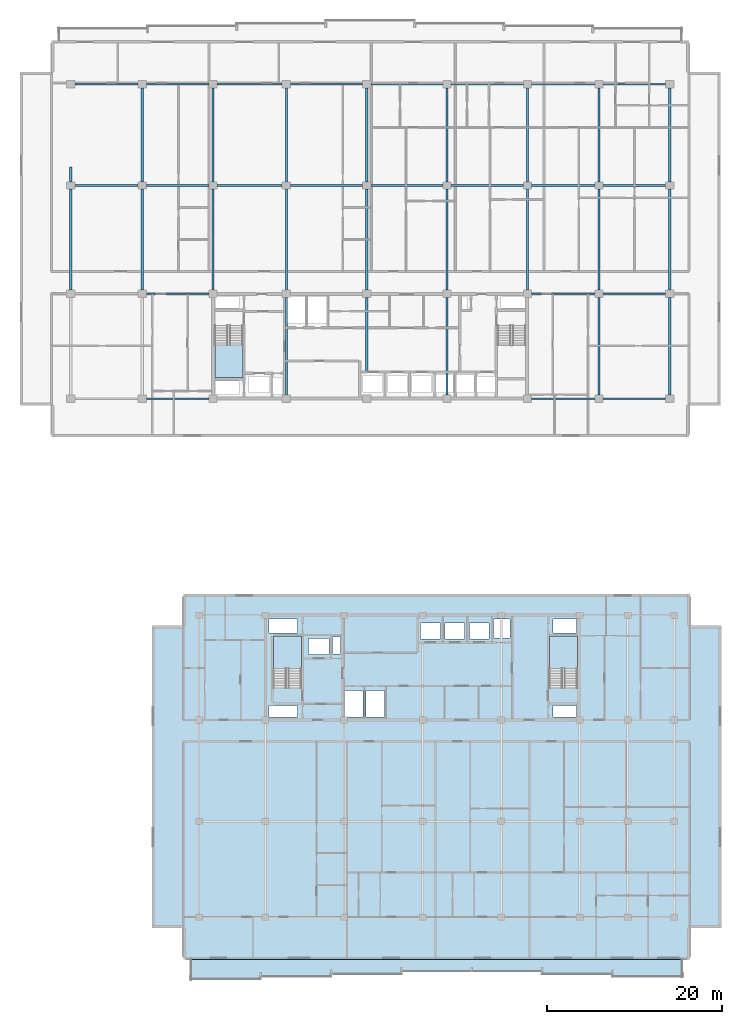
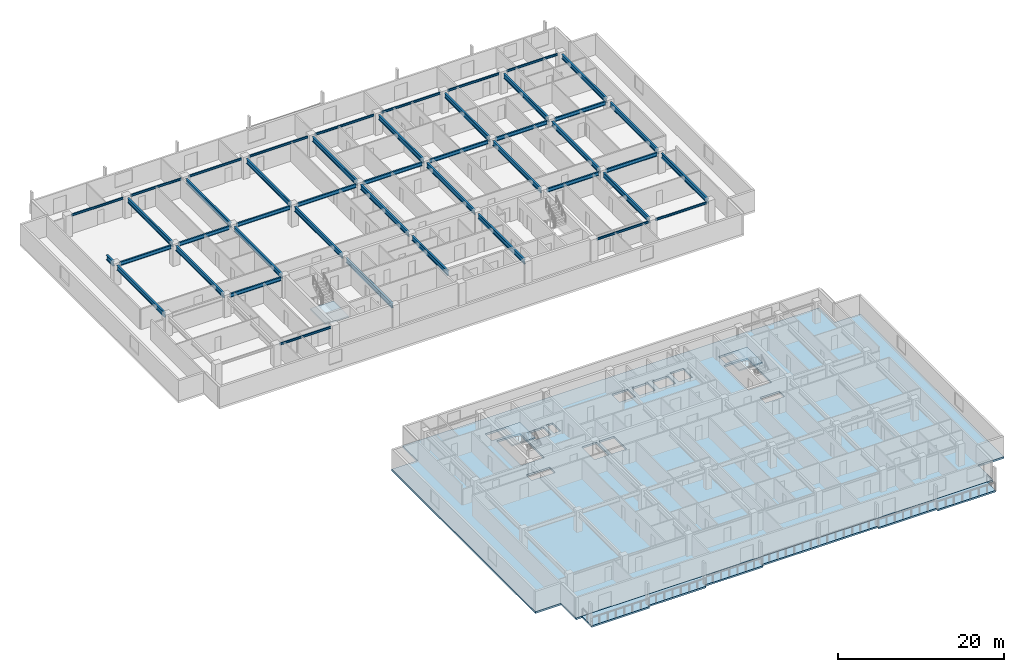
# One storey, part 2 of 21: 45 beams, 5 slabs, 3 elements without a shape of their own.
"""IFC4 building model written with IfcOpenShell, lengths in metres."""

from ifc_helpers import new_model, si_unit, direction, frame, origin, origin_2d, place, context, subcontext, project, spatial, polyline, i_section, outline, extrude, material, layer, layer_set, material_profile, profile_set, type_object, element, aggregate, save


model = new_model("IFC4")

# Units and contexts
model_context = context("Model", 3, precision=1e-05, world=origin(), true_north=direction((0.0, 1.0)))
body_context = subcontext(model_context, "Body", "Model", "MODEL_VIEW")
ifc_project = project(units=[si_unit("LENGTHUNIT", "METRE"), si_unit("AREAUNIT", "SQUARE_METRE"), si_unit("VOLUMEUNIT", "CUBIC_METRE"), si_unit("PLANEANGLEUNIT", "RADIAN"), si_unit("MASSUNIT", "GRAM", prefix="KILO")], contexts=[model_context])

# Site, building, storey
site_placement = place(None, origin())
site = spatial("IfcSite", under=ifc_project, at=site_placement, CompositionType="ELEMENT")
building_placement = place(site_placement, origin())
building = spatial("IfcBuilding", under=site, at=building_placement, Name="Korimba Cascade Residences", CompositionType="ELEMENT")
storey_placement = place(building_placement, frame((0.0, 0.0, 103.550048828125)))
storey = spatial("IfcBuildingStorey", under=building, at=storey_placement, Name="L29", CompositionType="ELEMENT", Elevation=103.550048828125)

# Beams
ifc_material_1 = material(Name="Steel S355", Category="steel")
ifc_material_profile_1 = material_profile(ifc_material_1, i_section(OverallWidth=0.165771484375, OverallDepth=0.306640625, WebThickness=0.006591796875, FlangeThickness=0.01171875, FilletRadius=0.0087890625, at=origin_2d()), Name="Steel S355")
ifc_profile_set_1 = profile_set([ifc_material_profile_1], Name="Steel S355")
beam_type_1 = type_object("IfcBeamType", Name="BM-STL-UB305", PredefinedType="SPANDREL", material=ifc_profile_set_1)
beam_1_placement = place(storey_placement, frame((68.47509765625, 55.199951171875, 2.816650390625), z_axis=(1.0, 0.0, 0.0), x_axis=(0.0, 1.0, 0.0)))
element("IfcBeam", 1, at=beam_1_placement, inside=storey, type_object=beam_type_1, Name="L29 T1 E-W Girder Y1 Bay 2", PredefinedType="SPANDREL", context=body_context, shape_type="SweptSolid", body=[
    extrude(i_section(OverallWidth=0.165771484375, OverallDepth=0.306640625, WebThickness=0.006591796875, FlangeThickness=0.01171875, FilletRadius=0.0087890625, at=origin_2d()), origin(), (0.0, 0.0, 1.0), 7.14990234375),
])
beam_2_placement = place(storey_placement, frame((112.574951171875, 55.199951171875, 2.816650390625), z_axis=(1.0, 0.0, 0.0), x_axis=(0.0, 1.0, 0.0)))
element("IfcBeam", 2, at=beam_2_placement, inside=storey, type_object=beam_type_1, Name="L29 T1 E-W Girder Y1 Bay 7", PredefinedType="SPANDREL", context=body_context, shape_type="SweptSolid", body=[
    extrude(i_section(OverallWidth=0.165771484375, OverallDepth=0.306640625, WebThickness=0.006591796875, FlangeThickness=0.01171875, FilletRadius=0.0087890625, at=origin_2d()), origin(), (0.0, 0.0, 1.0), 7.25),
])
beam_3_placement = place(storey_placement, frame((120.77490234375, 55.199951171875, 2.816650390625), z_axis=(1.0, 0.0, 0.0), x_axis=(0.0, 1.0, 0.0)))
element("IfcBeam", 3, at=beam_3_placement, inside=storey, type_object=beam_type_1, Name="L29 T1 E-W Girder Y1 Bay 8", PredefinedType="SPANDREL", context=body_context, shape_type="SweptSolid", body=[
    extrude(i_section(OverallWidth=0.165771484375, OverallDepth=0.306640625, WebThickness=0.006591796875, FlangeThickness=0.01171875, FilletRadius=0.0087890625, at=origin_2d()), origin(), (0.0, 0.0, 1.0), 7.150146484375),
])
beam_4_placement = place(storey_placement, frame((60.27490234375, 91.199951171875, 2.816650390625), z_axis=(1.0, 0.0, 0.0), x_axis=(0.0, 1.0, 0.0)))
element("IfcBeam", 4, at=beam_4_placement, inside=storey, type_object=beam_type_1, Name="L29 T1 E-W Girder Y4 Bay 1", PredefinedType="SPANDREL", context=body_context, shape_type="SweptSolid", body=[
    extrude(i_section(OverallWidth=0.165771484375, OverallDepth=0.306640625, WebThickness=0.006591796875, FlangeThickness=0.01171875, FilletRadius=0.0087890625, at=origin_2d()), origin(), (0.0, 0.0, 1.0), 7.25),
])
beam_5_placement = place(storey_placement, frame((68.47509765625, 91.199951171875, 2.816650390625), z_axis=(1.0, 0.0, 0.0), x_axis=(0.0, 1.0, 0.0)))
element("IfcBeam", 5, at=beam_5_placement, inside=storey, type_object=beam_type_1, Name="L29 T1 E-W Girder Y4 Bay 2", PredefinedType="SPANDREL", context=body_context, shape_type="SweptSolid", body=[
    extrude(i_section(OverallWidth=0.165771484375, OverallDepth=0.306640625, WebThickness=0.006591796875, FlangeThickness=0.01171875, FilletRadius=0.0087890625, at=origin_2d()), origin(), (0.0, 0.0, 1.0), 7.14990234375),
])
beam_6_placement = place(storey_placement, frame((76.574951171875, 91.199951171875, 2.816650390625), z_axis=(1.0, 0.0, 0.0), x_axis=(0.0, 1.0, 0.0)))
element("IfcBeam", 6, at=beam_6_placement, inside=storey, type_object=beam_type_1, Name="L29 T1 E-W Girder Y4 Bay 3", PredefinedType="SPANDREL", context=body_context, shape_type="SweptSolid", body=[
    extrude(i_section(OverallWidth=0.165771484375, OverallDepth=0.306640625, WebThickness=0.006591796875, FlangeThickness=0.01171875, FilletRadius=0.0087890625, at=origin_2d()), origin(), (0.0, 0.0, 1.0), 7.449951171875),
])
for number, where, z_axis, x_axis, name in (
    (7, (84.97509765625, 91.199951171875, 2.816650390625), (1.0, 0.0, 0.0), (0.0, 1.0, 0.0), "L29 T1 E-W Girder Y4 Bay 4"),
    (8, (94.175048828125, 91.199951171875, 2.816650390625), (1.0, 0.0, 0.0), (0.0, 1.0, 0.0), "L29 T1 E-W Girder Y4 Bay 5"),
    (9, (103.375, 91.199951171875, 2.816650390625), (1.0, 0.0, 0.0), (0.0, 1.0, 0.0), "L29 T1 E-W Girder Y4 Bay 6"),
):
    element("IfcBeam", number, at=place(storey_placement, frame(where, z_axis=z_axis, x_axis=x_axis)), inside=storey, type_object=beam_type_1, Name=name, PredefinedType="SPANDREL", context=body_context, shape_type="SweptSolid", body=[
        extrude(i_section(OverallWidth=0.165771484375, OverallDepth=0.306640625, WebThickness=0.006591796875, FlangeThickness=0.01171875, FilletRadius=0.0087890625, at=origin_2d()), origin(), (0.0, 0.0, 1.0), 8.25),
    ])
beam_7_placement = place(storey_placement, frame((112.574951171875, 91.199951171875, 2.816650390625), z_axis=(1.0, 0.0, 0.0), x_axis=(0.0, 1.0, 0.0)))
element("IfcBeam", 10, at=beam_7_placement, inside=storey, type_object=beam_type_1, Name="L29 T1 E-W Girder Y4 Bay 7", PredefinedType="SPANDREL", context=body_context, shape_type="SweptSolid", body=[
    extrude(i_section(OverallWidth=0.165771484375, OverallDepth=0.306640625, WebThickness=0.006591796875, FlangeThickness=0.01171875, FilletRadius=0.0087890625, at=origin_2d()), origin(), (0.0, 0.0, 1.0), 7.25),
])
beam_8_placement = place(storey_placement, frame((120.77490234375, 91.199951171875, 2.816650390625), z_axis=(1.0, 0.0, 0.0), x_axis=(0.0, 1.0, 0.0)))
element("IfcBeam", 11, at=beam_8_placement, inside=storey, type_object=beam_type_1, Name="L29 T1 E-W Girder Y4 Bay 8", PredefinedType="SPANDREL", context=body_context, shape_type="SweptSolid", body=[
    extrude(i_section(OverallWidth=0.165771484375, OverallDepth=0.306640625, WebThickness=0.006591796875, FlangeThickness=0.01171875, FilletRadius=0.0087890625, at=origin_2d()), origin(), (0.0, 0.0, 1.0), 7.150146484375),
])
ifc_material_profile_2 = material_profile(ifc_material_1, i_section(OverallWidth=0.2099609375, OverallDepth=0.53662109375, WebThickness=0.0107421875, FlangeThickness=0.017333984375, FilletRadius=0.0126953125, at=origin_2d()), Name="Steel S355")
ifc_profile_set_2 = profile_set([ifc_material_profile_2], Name="Steel S355")
beam_type_2 = type_object("IfcBeamType", Name="BM-STL-UB533", PredefinedType="BEAM", material=ifc_profile_set_2)
beam_9_placement = place(storey_placement, frame((68.47509765625, 67.199951171875, 2.70166015625), z_axis=(1.0, 0.0, 0.0), x_axis=(0.0, 1.0, 0.0)))
element("IfcBeam", 12, at=beam_9_placement, inside=storey, type_object=beam_type_2, Name="L29 T1 E-W Girder Y2 Bay 2", PredefinedType="BEAM", context=body_context, shape_type="SweptSolid", body=[
    extrude(i_section(OverallWidth=0.2099609375, OverallDepth=0.53662109375, WebThickness=0.0107421875, FlangeThickness=0.017333984375, FilletRadius=0.0126953125, at=origin_2d()), origin(), (0.0, 0.0, 1.0), 7.14990234375),
])
beam_10_placement = place(storey_placement, frame((112.574951171875, 67.199951171875, 2.70166015625), z_axis=(1.0, 0.0, 0.0), x_axis=(0.0, 1.0, 0.0)))
element("IfcBeam", 13, at=beam_10_placement, inside=storey, type_object=beam_type_2, Name="L29 T1 E-W Girder Y2 Bay 7", PredefinedType="BEAM", context=body_context, shape_type="SweptSolid", body=[
    extrude(i_section(OverallWidth=0.2099609375, OverallDepth=0.53662109375, WebThickness=0.0107421875, FlangeThickness=0.017333984375, FilletRadius=0.0126953125, at=origin_2d()), origin(), (0.0, 0.0, 1.0), 7.25),
])
beam_11_placement = place(storey_placement, frame((120.77490234375, 67.199951171875, 2.70166015625), z_axis=(1.0, 0.0, 0.0), x_axis=(0.0, 1.0, 0.0)))
element("IfcBeam", 14, at=beam_11_placement, inside=storey, type_object=beam_type_2, Name="L29 T1 E-W Girder Y2 Bay 8", PredefinedType="BEAM", context=body_context, shape_type="SweptSolid", body=[
    extrude(i_section(OverallWidth=0.2099609375, OverallDepth=0.53662109375, WebThickness=0.0107421875, FlangeThickness=0.017333984375, FilletRadius=0.0126953125, at=origin_2d()), origin(), (0.0, 0.0, 1.0), 7.150146484375),
])
beam_12_placement = place(storey_placement, frame((60.27490234375, 79.60009765625, 2.70166015625), z_axis=(1.0, 0.0, 0.0), x_axis=(0.0, 1.0, 0.0)))
element("IfcBeam", 15, at=beam_12_placement, inside=storey, type_object=beam_type_2, Name="L29 T1 E-W Girder Y3 Bay 1", PredefinedType="BEAM", context=body_context, shape_type="SweptSolid", body=[
    extrude(i_section(OverallWidth=0.2099609375, OverallDepth=0.53662109375, WebThickness=0.0107421875, FlangeThickness=0.017333984375, FilletRadius=0.0126953125, at=origin_2d()), origin(), (0.0, 0.0, 1.0), 7.25),
])
beam_13_placement = place(storey_placement, frame((68.47509765625, 79.60009765625, 2.70166015625), z_axis=(1.0, 0.0, 0.0), x_axis=(0.0, 1.0, 0.0)))
element("IfcBeam", 16, at=beam_13_placement, inside=storey, type_object=beam_type_2, Name="L29 T1 E-W Girder Y3 Bay 2", PredefinedType="BEAM", context=body_context, shape_type="SweptSolid", body=[
    extrude(i_section(OverallWidth=0.2099609375, OverallDepth=0.53662109375, WebThickness=0.0107421875, FlangeThickness=0.017333984375, FilletRadius=0.0126953125, at=origin_2d()), origin(), (0.0, 0.0, 1.0), 7.14990234375),
])
beam_14_placement = place(storey_placement, frame((76.574951171875, 79.60009765625, 2.70166015625), z_axis=(1.0, 0.0, 0.0), x_axis=(0.0, 1.0, 0.0)))
element("IfcBeam", 17, at=beam_14_placement, inside=storey, type_object=beam_type_2, Name="L29 T1 E-W Girder Y3 Bay 3", PredefinedType="BEAM", context=body_context, shape_type="SweptSolid", body=[
    extrude(i_section(OverallWidth=0.2099609375, OverallDepth=0.53662109375, WebThickness=0.0107421875, FlangeThickness=0.017333984375, FilletRadius=0.0126953125, at=origin_2d()), origin(), (0.0, 0.0, 1.0), 7.449951171875),
])
for number, where, z_axis, x_axis, name in (
    (18, (84.97509765625, 79.60009765625, 2.70166015625), (1.0, 0.0, 0.0), (0.0, 1.0, 0.0), "L29 T1 E-W Girder Y3 Bay 4"),
    (19, (94.175048828125, 79.60009765625, 2.70166015625), (1.0, 0.0, 0.0), (0.0, 1.0, 0.0), "L29 T1 E-W Girder Y3 Bay 5"),
    (20, (103.375, 79.60009765625, 2.70166015625), (1.0, 0.0, 0.0), (0.0, 1.0, 0.0), "L29 T1 E-W Girder Y3 Bay 6"),
):
    element("IfcBeam", number, at=place(storey_placement, frame(where, z_axis=z_axis, x_axis=x_axis)), inside=storey, type_object=beam_type_2, Name=name, PredefinedType="BEAM", context=body_context, shape_type="SweptSolid", body=[
        extrude(i_section(OverallWidth=0.2099609375, OverallDepth=0.53662109375, WebThickness=0.0107421875, FlangeThickness=0.017333984375, FilletRadius=0.0126953125, at=origin_2d()), origin(), (0.0, 0.0, 1.0), 8.25),
    ])
beam_15_placement = place(storey_placement, frame((112.574951171875, 79.60009765625, 2.70166015625), z_axis=(1.0, 0.0, 0.0), x_axis=(0.0, 1.0, 0.0)))
element("IfcBeam", 21, at=beam_15_placement, inside=storey, type_object=beam_type_2, Name="L29 T1 E-W Girder Y3 Bay 7", PredefinedType="BEAM", context=body_context, shape_type="SweptSolid", body=[
    extrude(i_section(OverallWidth=0.2099609375, OverallDepth=0.53662109375, WebThickness=0.0107421875, FlangeThickness=0.017333984375, FilletRadius=0.0126953125, at=origin_2d()), origin(), (0.0, 0.0, 1.0), 7.25),
])
beam_16_placement = place(storey_placement, frame((120.77490234375, 79.60009765625, 2.70166015625), z_axis=(1.0, 0.0, 0.0), x_axis=(0.0, 1.0, 0.0)))
element("IfcBeam", 22, at=beam_16_placement, inside=storey, type_object=beam_type_2, Name="L29 T1 E-W Girder Y3 Bay 8", PredefinedType="BEAM", context=body_context, shape_type="SweptSolid", body=[
    extrude(i_section(OverallWidth=0.2099609375, OverallDepth=0.53662109375, WebThickness=0.0107421875, FlangeThickness=0.017333984375, FilletRadius=0.0126953125, at=origin_2d()), origin(), (0.0, 0.0, 1.0), 7.150146484375),
])
ifc_material_profile_3 = material_profile(ifc_material_1, i_section(OverallWidth=0.255859375, OverallDepth=0.69287109375, WebThickness=0.014404296875, FlangeThickness=0.023681640625, FilletRadius=0.01513671875, at=origin_2d()), Name="Steel S355")
ifc_profile_set_3 = profile_set([ifc_material_profile_3], Name="Steel S355")
beam_type_3 = type_object("IfcBeamType", Name="BM-STL-UB686", PredefinedType="BEAM", material=ifc_profile_set_3)
beam_17_placement = place(storey_placement, frame((59.800048828125, 67.625, 2.62353515625), z_axis=(0.0, 1.0, 0.0), x_axis=(-1.0, 0.0, 0.0)))
element("IfcBeam", 23, at=beam_17_placement, inside=storey, type_object=beam_type_3, Name="L29 T1 N-S Girder X1 Seg 2", PredefinedType="BEAM", context=body_context, shape_type="SweptSolid", body=[
    extrude(i_section(OverallWidth=0.255859375, OverallDepth=0.69287109375, WebThickness=0.014404296875, FlangeThickness=0.023681640625, FilletRadius=0.01513671875, at=origin_2d()), origin(), (0.0, 0.0, 1.0), 11.550048828125),
])
beam_18_placement = place(storey_placement, frame((59.800048828125, 80.02490234375, 2.62353515625), z_axis=(0.0, 1.0, 0.0), x_axis=(-1.0, 0.0, 0.0)))
element("IfcBeam", 24, at=beam_18_placement, inside=storey, type_object=beam_type_3, Name="L29 T1 N-S Girder X1 Seg 3", PredefinedType="BEAM", context=body_context, shape_type="SweptSolid", body=[
    extrude(i_section(OverallWidth=0.255859375, OverallDepth=0.69287109375, WebThickness=0.014404296875, FlangeThickness=0.023681640625, FilletRadius=0.01513671875, at=origin_2d()), origin(), (0.0, 0.0, 1.0), 1.675048828125),
])
beam_19_placement = place(storey_placement, frame((68.0, 67.625, 2.62353515625), z_axis=(0.0, 1.0, 0.0), x_axis=(-1.0, 0.0, 0.0)))
element("IfcBeam", 25, at=beam_19_placement, inside=storey, type_object=beam_type_3, Name="L29 T1 N-S Girder X2 Seg 2", PredefinedType="BEAM", context=body_context, shape_type="SweptSolid", body=[
    extrude(i_section(OverallWidth=0.255859375, OverallDepth=0.69287109375, WebThickness=0.014404296875, FlangeThickness=0.023681640625, FilletRadius=0.01513671875, at=origin_2d()), origin(), (0.0, 0.0, 1.0), 11.550048828125),
])
beam_20_placement = place(storey_placement, frame((68.0, 80.02490234375, 2.62353515625), z_axis=(0.0, 1.0, 0.0), x_axis=(-1.0, 0.0, 0.0)))
element("IfcBeam", 26, at=beam_20_placement, inside=storey, type_object=beam_type_3, Name="L29 T1 N-S Girder X2 Seg 3", PredefinedType="BEAM", context=body_context, shape_type="SweptSolid", body=[
    extrude(i_section(OverallWidth=0.255859375, OverallDepth=0.69287109375, WebThickness=0.014404296875, FlangeThickness=0.023681640625, FilletRadius=0.01513671875, at=origin_2d()), origin(), (0.0, 0.0, 1.0), 10.75),
])
beam_21_placement = place(storey_placement, frame((76.10009765625, 67.625, 2.62353515625), z_axis=(0.0, 1.0, 0.0), x_axis=(-1.0, 0.0, 0.0)))
element("IfcBeam", 27, at=beam_21_placement, inside=storey, type_object=beam_type_3, Name="L29 T1 N-S Girder X3 Seg 2", PredefinedType="BEAM", context=body_context, shape_type="SweptSolid", body=[
    extrude(i_section(OverallWidth=0.255859375, OverallDepth=0.69287109375, WebThickness=0.014404296875, FlangeThickness=0.023681640625, FilletRadius=0.01513671875, at=origin_2d()), origin(), (0.0, 0.0, 1.0), 11.550048828125),
])
beam_22_placement = place(storey_placement, frame((76.10009765625, 80.02490234375, 2.62353515625), z_axis=(0.0, 1.0, 0.0), x_axis=(-1.0, 0.0, 0.0)))
element("IfcBeam", 28, at=beam_22_placement, inside=storey, type_object=beam_type_3, Name="L29 T1 N-S Girder X3 Seg 3", PredefinedType="BEAM", context=body_context, shape_type="SweptSolid", body=[
    extrude(i_section(OverallWidth=0.255859375, OverallDepth=0.69287109375, WebThickness=0.014404296875, FlangeThickness=0.023681640625, FilletRadius=0.01513671875, at=origin_2d()), origin(), (0.0, 0.0, 1.0), 10.75),
])
beam_23_placement = place(storey_placement, frame((84.5, 55.625, 2.62353515625), z_axis=(0.0, 1.0, 0.0), x_axis=(-1.0, 0.0, 0.0)))
element("IfcBeam", 29, at=beam_23_placement, inside=storey, type_object=beam_type_3, Name="L29 T1 N-S Girder X4 Seg 1", PredefinedType="BEAM", context=body_context, shape_type="SweptSolid", body=[
    extrude(i_section(OverallWidth=0.255859375, OverallDepth=0.69287109375, WebThickness=0.014404296875, FlangeThickness=0.023681640625, FilletRadius=0.01513671875, at=origin_2d()), origin(), (0.0, 0.0, 1.0), 11.14990234375),
])
beam_24_placement = place(storey_placement, frame((84.5, 67.625, 2.62353515625), z_axis=(0.0, 1.0, 0.0), x_axis=(-1.0, 0.0, 0.0)))
element("IfcBeam", 30, at=beam_24_placement, inside=storey, type_object=beam_type_3, Name="L29 T1 N-S Girder X4 Seg 2", PredefinedType="BEAM", context=body_context, shape_type="SweptSolid", body=[
    extrude(i_section(OverallWidth=0.255859375, OverallDepth=0.69287109375, WebThickness=0.014404296875, FlangeThickness=0.023681640625, FilletRadius=0.01513671875, at=origin_2d()), origin(), (0.0, 0.0, 1.0), 11.550048828125),
])
beam_25_placement = place(storey_placement, frame((84.5, 80.02490234375, 2.62353515625), z_axis=(0.0, 1.0, 0.0), x_axis=(-1.0, 0.0, 0.0)))
element("IfcBeam", 31, at=beam_25_placement, inside=storey, type_object=beam_type_3, Name="L29 T1 N-S Girder X4 Seg 3", PredefinedType="BEAM", context=body_context, shape_type="SweptSolid", body=[
    extrude(i_section(OverallWidth=0.255859375, OverallDepth=0.69287109375, WebThickness=0.014404296875, FlangeThickness=0.023681640625, FilletRadius=0.01513671875, at=origin_2d()), origin(), (0.0, 0.0, 1.0), 10.75),
])
beam_26_placement = place(storey_placement, frame((93.699951171875, 58.159912109375, 2.62353515625), z_axis=(0.0, 1.0, 0.0), x_axis=(-1.0, 0.0, 0.0)))
element("IfcBeam", 32, at=beam_26_placement, inside=storey, type_object=beam_type_3, Name="L29 T1 N-S Girder X5 Seg 1", PredefinedType="BEAM", context=body_context, shape_type="SweptSolid", body=[
    extrude(i_section(OverallWidth=0.255859375, OverallDepth=0.69287109375, WebThickness=0.014404296875, FlangeThickness=0.023681640625, FilletRadius=0.01513671875, at=origin_2d()), origin(), (0.0, 0.0, 1.0), 8.614990234375),
])
beam_27_placement = place(storey_placement, frame((93.699951171875, 67.625, 2.62353515625), z_axis=(0.0, 1.0, 0.0), x_axis=(-1.0, 0.0, 0.0)))
element("IfcBeam", 33, at=beam_27_placement, inside=storey, type_object=beam_type_3, Name="L29 T1 N-S Girder X5 Seg 2", PredefinedType="BEAM", context=body_context, shape_type="SweptSolid", body=[
    extrude(i_section(OverallWidth=0.255859375, OverallDepth=0.69287109375, WebThickness=0.014404296875, FlangeThickness=0.023681640625, FilletRadius=0.01513671875, at=origin_2d()), origin(), (0.0, 0.0, 1.0), 11.550048828125),
])
beam_28_placement = place(storey_placement, frame((93.699951171875, 80.02490234375, 2.62353515625), z_axis=(0.0, 1.0, 0.0), x_axis=(-1.0, 0.0, 0.0)))
element("IfcBeam", 34, at=beam_28_placement, inside=storey, type_object=beam_type_3, Name="L29 T1 N-S Girder X5 Seg 3", PredefinedType="BEAM", context=body_context, shape_type="SweptSolid", body=[
    extrude(i_section(OverallWidth=0.255859375, OverallDepth=0.69287109375, WebThickness=0.014404296875, FlangeThickness=0.023681640625, FilletRadius=0.01513671875, at=origin_2d()), origin(), (0.0, 0.0, 1.0), 10.75),
])
beam_29_placement = place(storey_placement, frame((102.89990234375, 55.625, 2.62353515625), z_axis=(0.0, 1.0, 0.0), x_axis=(-1.0, 0.0, 0.0)))
element("IfcBeam", 35, at=beam_29_placement, inside=storey, type_object=beam_type_3, Name="L29 T1 N-S Girder X6 Seg 1", PredefinedType="BEAM", context=body_context, shape_type="SweptSolid", body=[
    extrude(i_section(OverallWidth=0.255859375, OverallDepth=0.69287109375, WebThickness=0.014404296875, FlangeThickness=0.023681640625, FilletRadius=0.01513671875, at=origin_2d()), origin(), (0.0, 0.0, 1.0), 11.14990234375),
])
beam_30_placement = place(storey_placement, frame((102.89990234375, 67.625, 2.62353515625), z_axis=(0.0, 1.0, 0.0), x_axis=(-1.0, 0.0, 0.0)))
element("IfcBeam", 36, at=beam_30_placement, inside=storey, type_object=beam_type_3, Name="L29 T1 N-S Girder X6 Seg 2", PredefinedType="BEAM", context=body_context, shape_type="SweptSolid", body=[
    extrude(i_section(OverallWidth=0.255859375, OverallDepth=0.69287109375, WebThickness=0.014404296875, FlangeThickness=0.023681640625, FilletRadius=0.01513671875, at=origin_2d()), origin(), (0.0, 0.0, 1.0), 11.550048828125),
])
beam_31_placement = place(storey_placement, frame((102.89990234375, 80.02490234375, 2.62353515625), z_axis=(0.0, 1.0, 0.0), x_axis=(-1.0, 0.0, 0.0)))
element("IfcBeam", 37, at=beam_31_placement, inside=storey, type_object=beam_type_3, Name="L29 T1 N-S Girder X6 Seg 3", PredefinedType="BEAM", context=body_context, shape_type="SweptSolid", body=[
    extrude(i_section(OverallWidth=0.255859375, OverallDepth=0.69287109375, WebThickness=0.014404296875, FlangeThickness=0.023681640625, FilletRadius=0.01513671875, at=origin_2d()), origin(), (0.0, 0.0, 1.0), 10.75),
])
beam_32_placement = place(storey_placement, frame((112.10009765625, 67.625, 2.62353515625), z_axis=(0.0, 1.0, 0.0), x_axis=(-1.0, 0.0, 0.0)))
element("IfcBeam", 38, at=beam_32_placement, inside=storey, type_object=beam_type_3, Name="L29 T1 N-S Girder X7 Seg 2", PredefinedType="BEAM", context=body_context, shape_type="SweptSolid", body=[
    extrude(i_section(OverallWidth=0.255859375, OverallDepth=0.69287109375, WebThickness=0.014404296875, FlangeThickness=0.023681640625, FilletRadius=0.01513671875, at=origin_2d()), origin(), (0.0, 0.0, 1.0), 11.550048828125),
])
beam_33_placement = place(storey_placement, frame((112.10009765625, 80.02490234375, 2.62353515625), z_axis=(0.0, 1.0, 0.0), x_axis=(-1.0, 0.0, 0.0)))
element("IfcBeam", 39, at=beam_33_placement, inside=storey, type_object=beam_type_3, Name="L29 T1 N-S Girder X7 Seg 3", PredefinedType="BEAM", context=body_context, shape_type="SweptSolid", body=[
    extrude(i_section(OverallWidth=0.255859375, OverallDepth=0.69287109375, WebThickness=0.014404296875, FlangeThickness=0.023681640625, FilletRadius=0.01513671875, at=origin_2d()), origin(), (0.0, 0.0, 1.0), 10.75),
])
beam_34_placement = place(storey_placement, frame((120.300048828125, 55.625, 2.62353515625), z_axis=(0.0, 1.0, 0.0), x_axis=(-1.0, 0.0, 0.0)))
element("IfcBeam", 40, at=beam_34_placement, inside=storey, type_object=beam_type_3, Name="L29 T1 N-S Girder X8 Seg 1", PredefinedType="BEAM", context=body_context, shape_type="SweptSolid", body=[
    extrude(i_section(OverallWidth=0.255859375, OverallDepth=0.69287109375, WebThickness=0.014404296875, FlangeThickness=0.023681640625, FilletRadius=0.01513671875, at=origin_2d()), origin(), (0.0, 0.0, 1.0), 11.14990234375),
])
beam_35_placement = place(storey_placement, frame((120.300048828125, 67.625, 2.62353515625), z_axis=(0.0, 1.0, 0.0), x_axis=(-1.0, 0.0, 0.0)))
element("IfcBeam", 41, at=beam_35_placement, inside=storey, type_object=beam_type_3, Name="L29 T1 N-S Girder X8 Seg 2", PredefinedType="BEAM", context=body_context, shape_type="SweptSolid", body=[
    extrude(i_section(OverallWidth=0.255859375, OverallDepth=0.69287109375, WebThickness=0.014404296875, FlangeThickness=0.023681640625, FilletRadius=0.01513671875, at=origin_2d()), origin(), (0.0, 0.0, 1.0), 11.550048828125),
])
beam_36_placement = place(storey_placement, frame((120.300048828125, 80.02490234375, 2.62353515625), z_axis=(0.0, 1.0, 0.0), x_axis=(-1.0, 0.0, 0.0)))
element("IfcBeam", 42, at=beam_36_placement, inside=storey, type_object=beam_type_3, Name="L29 T1 N-S Girder X8 Seg 3", PredefinedType="BEAM", context=body_context, shape_type="SweptSolid", body=[
    extrude(i_section(OverallWidth=0.255859375, OverallDepth=0.69287109375, WebThickness=0.014404296875, FlangeThickness=0.023681640625, FilletRadius=0.01513671875, at=origin_2d()), origin(), (0.0, 0.0, 1.0), 10.75),
])
beam_37_placement = place(storey_placement, frame((128.39990234375, 55.625, 2.62353515625), z_axis=(0.0, 1.0, 0.0), x_axis=(-1.0, 0.0, 0.0)))
element("IfcBeam", 43, at=beam_37_placement, inside=storey, type_object=beam_type_3, Name="L29 T1 N-S Girder X9 Seg 1", PredefinedType="BEAM", context=body_context, shape_type="SweptSolid", body=[
    extrude(i_section(OverallWidth=0.255859375, OverallDepth=0.69287109375, WebThickness=0.014404296875, FlangeThickness=0.023681640625, FilletRadius=0.01513671875, at=origin_2d()), origin(), (0.0, 0.0, 1.0), 11.14990234375),
])
beam_38_placement = place(storey_placement, frame((128.39990234375, 67.625, 2.62353515625), z_axis=(0.0, 1.0, 0.0), x_axis=(-1.0, 0.0, 0.0)))
element("IfcBeam", 44, at=beam_38_placement, inside=storey, type_object=beam_type_3, Name="L29 T1 N-S Girder X9 Seg 2", PredefinedType="BEAM", context=body_context, shape_type="SweptSolid", body=[
    extrude(i_section(OverallWidth=0.255859375, OverallDepth=0.69287109375, WebThickness=0.014404296875, FlangeThickness=0.023681640625, FilletRadius=0.01513671875, at=origin_2d()), origin(), (0.0, 0.0, 1.0), 11.550048828125),
])
beam_39_placement = place(storey_placement, frame((128.39990234375, 80.02490234375, 2.62353515625), z_axis=(0.0, 1.0, 0.0), x_axis=(-1.0, 0.0, 0.0)))
element("IfcBeam", 45, at=beam_39_placement, inside=storey, type_object=beam_type_3, Name="L29 T1 N-S Girder X9 Seg 3", PredefinedType="BEAM", context=body_context, shape_type="SweptSolid", body=[
    extrude(i_section(OverallWidth=0.255859375, OverallDepth=0.69287109375, WebThickness=0.014404296875, FlangeThickness=0.023681640625, FilletRadius=0.01513671875, at=origin_2d()), origin(), (0.0, 0.0, 1.0), 10.75),
])

# Stair, slab
ifc_material_2 = material(Name="Concrete C50/60", Category="concrete")
stair_type_1 = type_object("IfcStairType", Name="STR-W1-18R-1806", PredefinedType="HALF_TURN_STAIR", material=ifc_material_2)
stair_1_placement = place(storey_placement, origin())
stair_1 = element("IfcStair", 46, at=stair_1_placement, inside=storey, type_object=stair_type_1, Name="L29 Tower 1 West Fire Stair ST-W1", PredefinedType="HALF_TURN_STAIR")
ifc_layer_1 = layer(ifc_material_2, 0.199951171875)
ifc_layer_set_1 = layer_set([ifc_layer_1], Name="Concrete C50/60")
slab_type_1 = type_object("IfcSlabType", Name="SLB-LND-220", PredefinedType="LANDING", material=ifc_layer_set_1)
slab_1_placement = place(storey_placement, frame((0.0, 0.0, 1.425048828125)))
slab_1 = element("IfcSlab", 47, at=slab_1_placement, type_object=slab_type_1, Name="ST-W1 landing 1", PredefinedType="LANDING", context=body_context, shape_type="SweptSolid", body=[
    extrude(outline(polyline([(76.300048828125, 61.31005859375), (76.300048828125, 57.60009765625), (79.5400390625, 57.60009765625), (79.5400390625, 61.31005859375), (76.300048828125, 61.31005859375)])), origin(), (0.0, 0.0, 1.0), 0.199951171875),
])
aggregate(stair_1, [slab_1])

stair_type_2 = type_object("IfcStairType", Name="STR-E1-18R-1806", PredefinedType="HALF_TURN_STAIR", material=ifc_material_2)
stair_2_placement = place(storey_placement, origin())
stair_2 = element("IfcStair", 48, at=stair_2_placement, inside=storey, type_object=stair_type_2, Name="L29 Tower 2 West Fire Stair ST-E1", PredefinedType="HALF_TURN_STAIR")
slab_2_placement = place(storey_placement, frame((0.0, 0.0, 1.425048828125)))
slab_2 = element("IfcSlab", 49, at=slab_2_placement, type_object=slab_type_1, Name="ST-E1 landing 1", PredefinedType="LANDING", context=body_context, shape_type="SweptSolid", body=[
    extrude(outline(polyline([(86.239990234375, 24.2900390625), (86.239990234375, 28.0), (83.0, 28.0), (83.0, 24.2900390625), (86.239990234375, 24.2900390625)])), origin(), (0.0, 0.0, 1.0), 0.199951171875),
])
aggregate(stair_2, [slab_2])

stair_type_3 = type_object("IfcStairType", Name="STR-E2-18R-1806", PredefinedType="HALF_TURN_STAIR", material=ifc_material_2)
stair_3_placement = place(storey_placement, origin())
stair_3 = element("IfcStair", 50, at=stair_3_placement, inside=storey, type_object=stair_type_3, Name="L29 Tower 2 East Fire Stair ST-E2", PredefinedType="HALF_TURN_STAIR")
slab_3_placement = place(storey_placement, frame((0.0, 0.0, 1.425048828125)))
slab_3 = element("IfcSlab", 51, at=slab_3_placement, type_object=slab_type_1, Name="ST-E2 landing 1", PredefinedType="LANDING", context=body_context, shape_type="SweptSolid", body=[
    extrude(outline(polyline([(117.840087890625, 24.2900390625), (117.840087890625, 28.0), (114.60009765625, 28.0), (114.60009765625, 24.2900390625), (117.840087890625, 24.2900390625)])), origin(), (0.0, 0.0, 1.0), 0.199951171875),
])
aggregate(stair_3, [slab_3])

# Slabs
ifc_material_3 = material(Name="Precast concrete C40/50", Category="concrete")
ifc_layer_2 = layer(ifc_material_3, 0.239990234375)
ifc_layer_set_2 = layer_set([ifc_layer_2], Name="Precast concrete C40/50")
slab_type_2 = type_object("IfcSlabType", Name="SLB-LOG-240", PredefinedType="FLOOR", material=ifc_layer_set_2)
slab_4_placement = place(storey_placement, frame((0.0, 0.0, -0.239990234375)))
element("IfcSlab", 52, at=slab_4_placement, inside=storey, type_object=slab_type_2, Name="L29 Tower 2 South Loggia Slab", PredefinedType="FLOOR", context=body_context, shape_type="SweptSolid", body=[
    extrude(outline(polyline([(73.5, -11.35009765625), (81.55712890625, -11.35009765625), (81.55712890625, -11.050048828125), (89.6142578125, -11.050048828125), (89.6142578125, -10.75), (97.67138671875, -10.75), (97.67138671875, -10.449951171875), (113.78564453125, -10.449951171875), (113.78564453125, -10.75), (121.843017578125, -10.75), (121.843017578125, -11.050048828125), (129.89990234375, -11.050048828125), (129.89990234375, -9.0), (73.5, -9.0), (73.5, -11.35009765625)])), origin(), (0.0, 0.0, 1.0), 0.239990234375),
])
ifc_layer_3 = layer(ifc_material_2, 0.280029296875)
ifc_layer_set_3 = layer_set([ifc_layer_3], Name="Concrete C50/60")
slab_type_3 = type_object("IfcSlabType", Name="SLB-TYP-280", PredefinedType="FLOOR", material=ifc_layer_set_3)
slab_5_placement = place(storey_placement, frame((0.0, 0.0, -0.280029296875)))
element("IfcSlab", 53, at=slab_5_placement, inside=storey, type_object=slab_type_3, Name="L29 Tower 2 Floor Slab", PredefinedType="FLOOR", context=body_context, shape_type="SweptSolid", body=[
    extrude(outline(polyline([(72.699951171875, -9.0), (130.699951171875, -9.0), (130.699951171875, -5.39990234375), (134.300048828125, -5.39990234375), (134.300048828125, 29.199951171875), (130.699951171875, 29.199951171875), (130.699951171875, 32.800048828125), (72.699951171875, 32.800048828125), (72.699951171875, 29.199951171875), (69.10009765625, 29.199951171875), (69.10009765625, -5.39990234375), (72.699951171875, -5.39990234375), (72.699951171875, -9.0)]), holes=[polyline([(86.239990234375, 22.0849609375), (86.239990234375, 28.0), (83.0, 28.0), (83.0, 22.0849609375), (86.239990234375, 22.0849609375)]), polyline([(117.840087890625, 22.0849609375), (117.840087890625, 28.0), (114.60009765625, 28.0), (114.60009765625, 22.0849609375), (117.840087890625, 22.0849609375)]), polyline([(87.030029296875, 25.8798828125), (89.3701171875, 25.8798828125), (89.3701171875, 27.719970703125), (87.030029296875, 27.719970703125), (87.030029296875, 25.8798828125)]), polyline([(99.8798828125, 27.679931640625), (102.1201171875, 27.679931640625), (102.1201171875, 29.52001953125), (99.8798828125, 29.52001953125), (99.8798828125, 27.679931640625)]), polyline([(102.679931640625, 27.679931640625), (104.919921875, 27.679931640625), (104.919921875, 29.52001953125), (102.679931640625, 29.52001953125), (102.679931640625, 27.679931640625)]), polyline([(105.47998046875, 27.679931640625), (107.719970703125, 27.679931640625), (107.719970703125, 29.52001953125), (105.47998046875, 29.52001953125), (105.47998046875, 27.679931640625)]), polyline([(89.780029296875, 25.97998046875), (90.719970703125, 25.97998046875), (90.719970703125, 27.919921875), (89.780029296875, 27.919921875), (89.780029296875, 25.97998046875)]), polyline([(82.530029296875, 18.72998046875), (85.800048828125, 18.72998046875), (85.800048828125, 20.0400390625), (82.530029296875, 20.0400390625), (82.530029296875, 18.72998046875)]), polyline([(82.530029296875, 28.360107421875), (85.800048828125, 28.360107421875), (85.800048828125, 29.969970703125), (82.530029296875, 29.969970703125), (82.530029296875, 28.360107421875)]), polyline([(108.22998046875, 27.780029296875), (110.1201171875, 27.780029296875), (110.1201171875, 29.969970703125), (108.22998046875, 29.969970703125), (108.22998046875, 27.780029296875)]), polyline([(91.22998046875, 18.72998046875), (93.27001953125, 18.72998046875), (93.27001953125, 21.780029296875), (91.22998046875, 21.780029296875), (91.22998046875, 18.72998046875)]), polyline([(93.6298828125, 18.72998046875), (95.719970703125, 18.72998046875), (95.719970703125, 21.780029296875), (93.6298828125, 21.780029296875), (93.6298828125, 18.72998046875)]), polyline([(115.02001953125, 18.72998046875), (117.739990234375, 18.72998046875), (117.739990234375, 20.0400390625), (115.02001953125, 20.0400390625), (115.02001953125, 18.72998046875)]), polyline([(115.02001953125, 28.360107421875), (117.739990234375, 28.360107421875), (117.739990234375, 29.969970703125), (115.02001953125, 29.969970703125), (115.02001953125, 28.360107421875)])]), origin(), (0.0, 0.0, 1.0), 0.280029296875),
])

save(model, "model.ifc")
